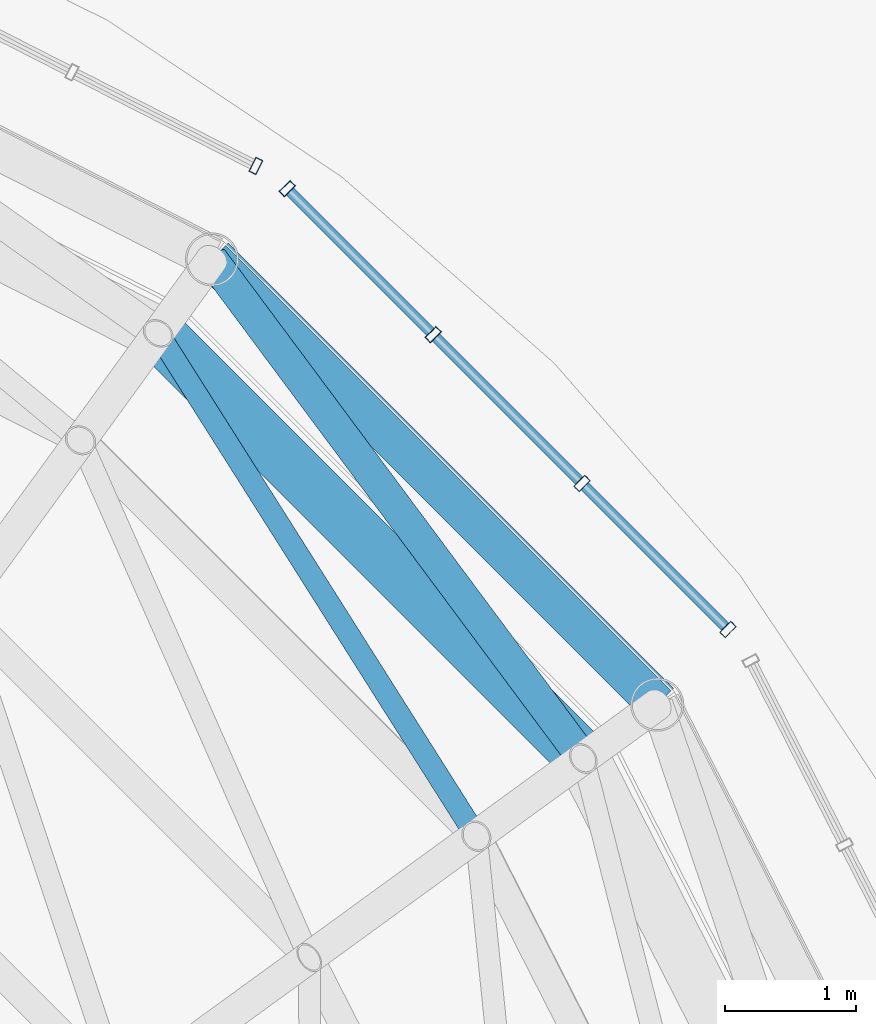
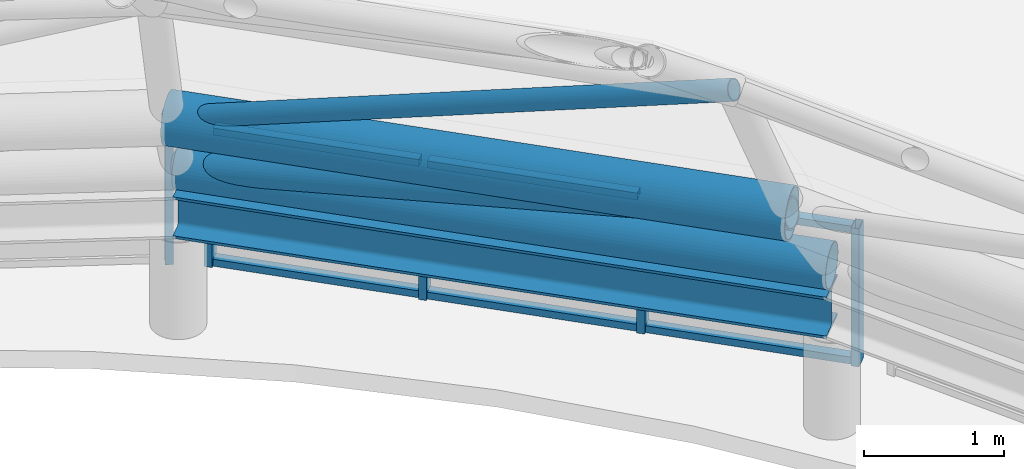
# One storey, part 38 of 69: 15 members, 1 beam, 2 elements without a shape of their own.
"""IFC4 building model written with IfcOpenShell, lengths in metres."""

from ifc_helpers import new_model, si_unit, direction, frame, origin, origin_2d, place, context, subcontext, project, spatial, hollow_rectangle, hollow_circle, i_section, extrude, material, layer, layer_set, material_profile, profile_set, type_object, element, aggregate, save


model = new_model("IFC4")

# Units and contexts
model_context = context("Model", 3, precision=1e-05, world=origin(), true_north=direction((0.0, 1.0)))
body_context = subcontext(model_context, "Body", "Model", "MODEL_VIEW")
ifc_project = project(units=[si_unit("LENGTHUNIT", "METRE"), si_unit("AREAUNIT", "SQUARE_METRE"), si_unit("VOLUMEUNIT", "CUBIC_METRE"), si_unit("PLANEANGLEUNIT", "RADIAN"), si_unit("MASSUNIT", "GRAM", prefix="KILO")], contexts=[model_context])

# Site, building, storey
site_placement = place(None, origin())
site = spatial("IfcSite", under=ifc_project, at=site_placement, CompositionType="ELEMENT")
building_placement = place(site_placement, origin())
building = spatial("IfcBuilding", under=site, at=building_placement, Name="Kallimachos Central Library", CompositionType="ELEMENT")
storey_placement = place(building_placement, frame((0.0, 0.0, 23.39990234375)))
storey = spatial("IfcBuildingStorey", under=building, at=storey_placement, Name="L05", CompositionType="ELEMENT", Elevation=23.39990234375)

# Members
ifc_material_1 = material(Name="Steel S355J2H", Category="steel")
ifc_material_profile_1 = material_profile(ifc_material_1, hollow_circle(Radius=0.084228515625, WallThickness=0.008056640625, at=origin_2d()), Name="CHS 168.3x8")
ifc_profile_set_1 = profile_set([ifc_material_profile_1], Name="Steel S355J2H")
member_type_1 = type_object("IfcMemberType", Name="CHS 168.3x8 dome diagonal", PredefinedType="BRACE", material=ifc_profile_set_1)
member_1_placement = place(storey_placement, frame((99.07470703125, 112.4462890625, 3.998779296875), z_axis=(-0.500242584103, 0.790374252327, -0.353646572595), x_axis=(-0.844977436229, -0.534801956115, 0.0)))
element("IfcMember", 1, at=member_1_placement, inside=storey, type_object=member_type_1, Name="Dome diagonal DD-6-02", PredefinedType="BRACE", context=body_context, shape_type="SweptSolid", body=[
    extrude(hollow_circle(Radius=0.084228515625, WallThickness=0.008056640625, at=origin_2d()), origin(), (0.0, 0.0, 1.0), 4.8662109375),
])
ifc_material_2 = material(Name="Steel S355J2H", Category="steel")
ifc_material_profile_2 = material_profile(ifc_material_2, hollow_circle(Radius=0.122314453125, WallThickness=0.012451171875, at=origin_2d()), Name="CHS 244.5x12.5")
ifc_profile_set_2 = profile_set([ifc_material_profile_2], Name="Steel S355J2H")
member_type_2 = type_object("IfcMemberType", Name="CHS 244.5x12.5 dome diagonal", PredefinedType="BRACE", material=ifc_profile_set_2)
member_2_placement = place(storey_placement, frame((99.892578125, 113.04052734375, 2.27783203125), z_axis=(-0.586483385768, 0.788362711939, -0.18579954963), x_axis=(-0.80233320321, -0.596876395099, 0.0)))
element("IfcMember", 2, at=member_2_placement, inside=storey, type_object=member_type_2, Name="Dome diagonal DD-7-02", PredefinedType="BRACE", context=body_context, shape_type="SweptSolid", body=[
    extrude(hollow_circle(Radius=0.122314453125, WallThickness=0.012451171875, at=origin_2d()), origin(), (0.0, 0.0, 1.0), 4.843505859375),
])
ifc_material_3 = material(Name="Steel S355J2H", Category="steel")
ifc_material_profile_3 = material_profile(ifc_material_3, hollow_circle(Radius=0.177734375, WallThickness=0.008056640625, at=origin_2d()), Name="CHS 355.6x8")
ifc_profile_set_3 = profile_set([ifc_material_profile_3], Name="Steel S355J2H")
member_type_3 = type_object("IfcMemberType", Name="CHS 355.6x8 dome ring", PredefinedType="PURLIN", material=ifc_profile_set_3)
member_3_placement = place(storey_placement, frame((100.458740234375, 113.451904296875, 1.3779296875), z_axis=(-0.707081444577, 0.707132116889, 0.0), x_axis=(-0.707132116889, -0.707081444577, 0.0)))
element("IfcMember", 3, at=member_3_placement, inside=storey, type_object=member_type_3, Name="Dome ring DN-8-02", PredefinedType="PURLIN", context=body_context, shape_type="SweptSolid", body=[
    extrude(hollow_circle(Radius=0.177734375, WallThickness=0.008056640625, at=origin_2d()), origin(), (0.0, 0.0, 1.0), 4.818115234375),
])
ifc_material_4 = material(Name="Steel S355J2H", Category="steel")
ifc_material_profile_4 = material_profile(ifc_material_4, hollow_circle(Radius=0.203125, WallThickness=0.012451171875, at=origin_2d()), Name="CHS 406.4x12.5")
ifc_profile_set_4 = profile_set([ifc_material_profile_4], Name="Steel S355J2H")
member_type_4 = type_object("IfcMemberType", Name="CHS 406.4x12.5 dome ring", PredefinedType="PURLIN", material=ifc_profile_set_4)
member_4_placement = place(storey_placement, frame((99.892578125, 113.04052734375, 2.27783203125), z_axis=(-0.707133322739, 0.707080238637, 0.0), x_axis=(-0.707080238637, -0.707133322739, 0.0)))
element("IfcMember", 4, at=member_4_placement, inside=storey, type_object=member_type_4, Name="Dome ring DN-7-02", PredefinedType="PURLIN", context=body_context, shape_type="SweptSolid", body=[
    extrude(hollow_circle(Radius=0.203125, WallThickness=0.012451171875, at=origin_2d()), origin(), (0.0, 0.0, 1.0), 4.59912109375),
])

# Curtain wall, members
ifc_material_5 = material(Name="Anodised aluminium and laminated glass", Category="aluminium")
ifc_layer = layer(ifc_material_5, 0.159912109375)
ifc_layer_set = layer_set([ifc_layer], Name="Glass box curtain wall")
curtain_wall_type = type_object("IfcCurtainWallType", Name="Glass box curtain wall", PredefinedType="NOTDEFINED", material=ifc_layer_set)
curtain_wall_1_placement = place(storey_placement, origin())
curtain_wall_1 = element("IfcCurtainWall", 5, at=curtain_wall_1_placement, inside=storey, type_object=curtain_wall_type, Name="Drum clerestory facet 3", PredefinedType="NOTDEFINED")
ifc_material_6 = material(Name="Anodised aluminium", Category="aluminium")
ifc_material_profile_5 = material_profile(ifc_material_6, hollow_rectangle(XDim=0.06005859375, YDim=0.1201171875, WallThickness=0.00390625, at=origin_2d()), Name="ALU MULLION 60x120")
ifc_profile_set_5 = profile_set([ifc_material_profile_5], Name="Anodised aluminium")
member_type_5 = type_object("IfcMemberType", Name="Glass box mullion 60x120", PredefinedType="MULLION", material=ifc_profile_set_5)
member_5_placement = place(storey_placement, frame((100.99951171875, 114.02783203125, 0.0), z_axis=(0.0, 0.0, 1.0), x_axis=(-0.707106781187, 0.707106781187, 0.0)))
member_5 = element("IfcMember", 6, at=member_5_placement, type_object=member_type_5, Name="CW37 mullion 1", PredefinedType="MULLION", context=body_context, shape_type="SweptSolid", body=[
    extrude(hollow_rectangle(XDim=0.06005859375, YDim=0.1201171875, WallThickness=0.00390625, at=origin_2d()), origin(), (0.0, 0.0, 1.0), 1.2001953125),
])
member_6_placement = place(storey_placement, frame((99.8828125, 115.144775390625, 0.0), z_axis=(0.0, 0.0, 1.0), x_axis=(-0.707106781187, 0.707106781187, 0.0)))
member_6 = element("IfcMember", 7, at=member_6_placement, type_object=member_type_5, Name="CW37 mullion 2", PredefinedType="MULLION", context=body_context, shape_type="SweptSolid", body=[
    extrude(hollow_rectangle(XDim=0.06005859375, YDim=0.1201171875, WallThickness=0.00390625, at=origin_2d()), origin(), (0.0, 0.0, 1.0), 1.2001953125),
])
member_7_placement = place(storey_placement, frame((98.74462890625, 116.28271484375, 0.0), z_axis=(0.0, 0.0, 1.0), x_axis=(-0.707106781187, 0.707106781187, 0.0)))
member_7 = element("IfcMember", 8, at=member_7_placement, type_object=member_type_5, Name="CW37 mullion 3", PredefinedType="MULLION", context=body_context, shape_type="SweptSolid", body=[
    extrude(hollow_rectangle(XDim=0.06005859375, YDim=0.1201171875, WallThickness=0.00390625, at=origin_2d()), origin(), (0.0, 0.0, 1.0), 1.2001953125),
])
member_8_placement = place(storey_placement, frame((97.6279296875, 117.399658203125, 0.0), z_axis=(0.0, 0.0, 1.0), x_axis=(-0.707106781187, 0.707106781187, 0.0)))
member_8 = element("IfcMember", 9, at=member_8_placement, type_object=member_type_5, Name="CW37 mullion 4", PredefinedType="MULLION", context=body_context, shape_type="SweptSolid", body=[
    extrude(hollow_rectangle(XDim=0.06005859375, YDim=0.1201171875, WallThickness=0.00390625, at=origin_2d()), origin(), (0.0, 0.0, 1.0), 1.2001953125),
])

# Curtain wall, member
curtain_wall_2_placement = place(storey_placement, origin())
curtain_wall_2 = element("IfcCurtainWall", 10, at=curtain_wall_2_placement, inside=storey, type_object=curtain_wall_type, Name="Drum clerestory facet 4", PredefinedType="NOTDEFINED")
member_9_placement = place(storey_placement, frame((97.38818359375, 117.57373046875, 0.0), z_axis=(0.0, 0.0, 1.0), x_axis=(-0.891006369337, 0.453990803653, 0.0)))
member_9 = element("IfcMember", 11, at=member_9_placement, type_object=member_type_5, Name="CW38 mullion 1", PredefinedType="MULLION", context=body_context, shape_type="SweptSolid", body=[
    extrude(hollow_rectangle(XDim=0.06005859375, YDim=0.1201171875, WallThickness=0.00390625, at=origin_2d()), origin(), (0.0, 0.0, 1.0), 1.2001953125),
])
aggregate(curtain_wall_2, [member_9])

# Member
ifc_material_7 = material(Name="Anodised aluminium", Category="aluminium")
ifc_material_profile_6 = material_profile(ifc_material_7, hollow_rectangle(XDim=0.06005859375, YDim=0.080078125, WallThickness=0.00390625, at=origin_2d()), Name="ALU TRANSOM 60x80")
ifc_profile_set_6 = profile_set([ifc_material_profile_6], Name="Anodised aluminium")
member_type_6 = type_object("IfcMemberType", Name="Glass box transom 60x80", PredefinedType="USERDEFINED", material=ifc_profile_set_6)
member_10_placement = place(storey_placement, frame((100.978271484375, 114.049072265625, 0.030029296875), z_axis=(-0.707026432709, 0.707187120535, 0.0), x_axis=(0.0, 0.0, 1.0)))
member_10 = element("IfcMember", 12, at=member_10_placement, type_object=member_type_6, Name="CW37 transom 1.1", ObjectType="TRANSOM", PredefinedType="USERDEFINED", context=body_context, shape_type="SweptSolid", body=[
    extrude(hollow_rectangle(XDim=0.06005859375, YDim=0.080078125, WallThickness=0.00390625, at=origin_2d()), origin(), (0.0, 0.0, 1.0), 1.519287109375),
])

member_11_placement = place(storey_placement, frame((100.978271484375, 114.049072265625, 1.170166015625), z_axis=(-0.707026432709, 0.707187120535, 0.0), x_axis=(0.0, 0.0, 1.0)))
member_11 = element("IfcMember", 13, at=member_11_placement, type_object=member_type_6, Name="CW37 transom 1.2", ObjectType="TRANSOM", PredefinedType="USERDEFINED", context=body_context, shape_type="SweptSolid", body=[
    extrude(hollow_rectangle(XDim=0.06005859375, YDim=0.080078125, WallThickness=0.00390625, at=origin_2d()), origin(), (0.0, 0.0, 1.0), 1.519287109375),
])

member_12_placement = place(storey_placement, frame((99.861572265625, 115.166015625, 0.030029296875), z_axis=(-0.707185563068, 0.707027990527, 0.0), x_axis=(0.0, 0.0, 1.0)))
member_12 = element("IfcMember", 14, at=member_12_placement, type_object=member_type_6, Name="CW37 transom 2.1", ObjectType="TRANSOM", PredefinedType="USERDEFINED", context=body_context, shape_type="SweptSolid", body=[
    extrude(hollow_rectangle(XDim=0.06005859375, YDim=0.080078125, WallThickness=0.00390625, at=origin_2d()), origin(), (0.0, 0.0, 1.0), 1.54931640625),
])

member_13_placement = place(storey_placement, frame((99.861572265625, 115.166015625, 1.170166015625), z_axis=(-0.707185563068, 0.707027990527, 0.0), x_axis=(0.0, 0.0, 1.0)))
member_13 = element("IfcMember", 15, at=member_13_placement, type_object=member_type_6, Name="CW37 transom 2.2", ObjectType="TRANSOM", PredefinedType="USERDEFINED", context=body_context, shape_type="SweptSolid", body=[
    extrude(hollow_rectangle(XDim=0.06005859375, YDim=0.080078125, WallThickness=0.00390625, at=origin_2d()), origin(), (0.0, 0.0, 1.0), 1.54931640625),
])

member_14_placement = place(storey_placement, frame((98.723388671875, 116.303955078125, 0.030029296875), z_axis=(-0.707026432709, 0.707187120535, 0.0), x_axis=(0.0, 0.0, 1.0)))
member_14 = element("IfcMember", 16, at=member_14_placement, type_object=member_type_6, Name="CW37 transom 3.1", ObjectType="TRANSOM", PredefinedType="USERDEFINED", context=body_context, shape_type="SweptSolid", body=[
    extrude(hollow_rectangle(XDim=0.06005859375, YDim=0.080078125, WallThickness=0.00390625, at=origin_2d()), origin(), (0.0, 0.0, 1.0), 1.519287109375),
])

member_15_placement = place(storey_placement, frame((98.723388671875, 116.303955078125, 1.170166015625), z_axis=(-0.707026432709, 0.707187120535, 0.0), x_axis=(0.0, 0.0, 1.0)))
member_15 = element("IfcMember", 17, at=member_15_placement, type_object=member_type_6, Name="CW37 transom 3.2", ObjectType="TRANSOM", PredefinedType="USERDEFINED", context=body_context, shape_type="SweptSolid", body=[
    extrude(hollow_rectangle(XDim=0.06005859375, YDim=0.080078125, WallThickness=0.00390625, at=origin_2d()), origin(), (0.0, 0.0, 1.0), 1.519287109375),
])

aggregate(curtain_wall_1, [member_5, member_6, member_7, member_8, member_10, member_11, member_12, member_13, member_14, member_15])

# Beam
ifc_material_8 = material(Name="Steel S355J2", Category="steel")
ifc_material_profile_7 = material_profile(ifc_material_8, i_section(OverallWidth=0.300048828125, OverallDepth=0.360107421875, WebThickness=0.012451171875, FlangeThickness=0.0224609375, FilletRadius=0.027099609375, at=origin_2d()), Name="HEB 360")
ifc_profile_set_7 = profile_set([ifc_material_profile_7], Name="Steel S355J2")
beam_type = type_object("IfcBeamType", Name="HEB 360 beam", PredefinedType="BEAM", material=ifc_profile_set_7)
beam_placement = place(storey_placement, frame((100.458984375, 113.451904296875, 1.02001953125), z_axis=(-0.707106781187, 0.707106781187, 0.0), x_axis=(-0.707106781187, -0.707106781187, 0.0)))
element("IfcBeam", 18, at=beam_placement, inside=storey, type_object=beam_type, Name="V1-BEM-L05-003", PredefinedType="BEAM", context=body_context, shape_type="SweptSolid", body=[
    extrude(i_section(OverallWidth=0.300048828125, OverallDepth=0.360107421875, WebThickness=0.012451171875, FlangeThickness=0.0224609375, FilletRadius=0.027099609375, at=origin_2d()), origin(), (0.0, 0.0, 1.0), 4.818115234375),
])

save(model, "model.ifc")
